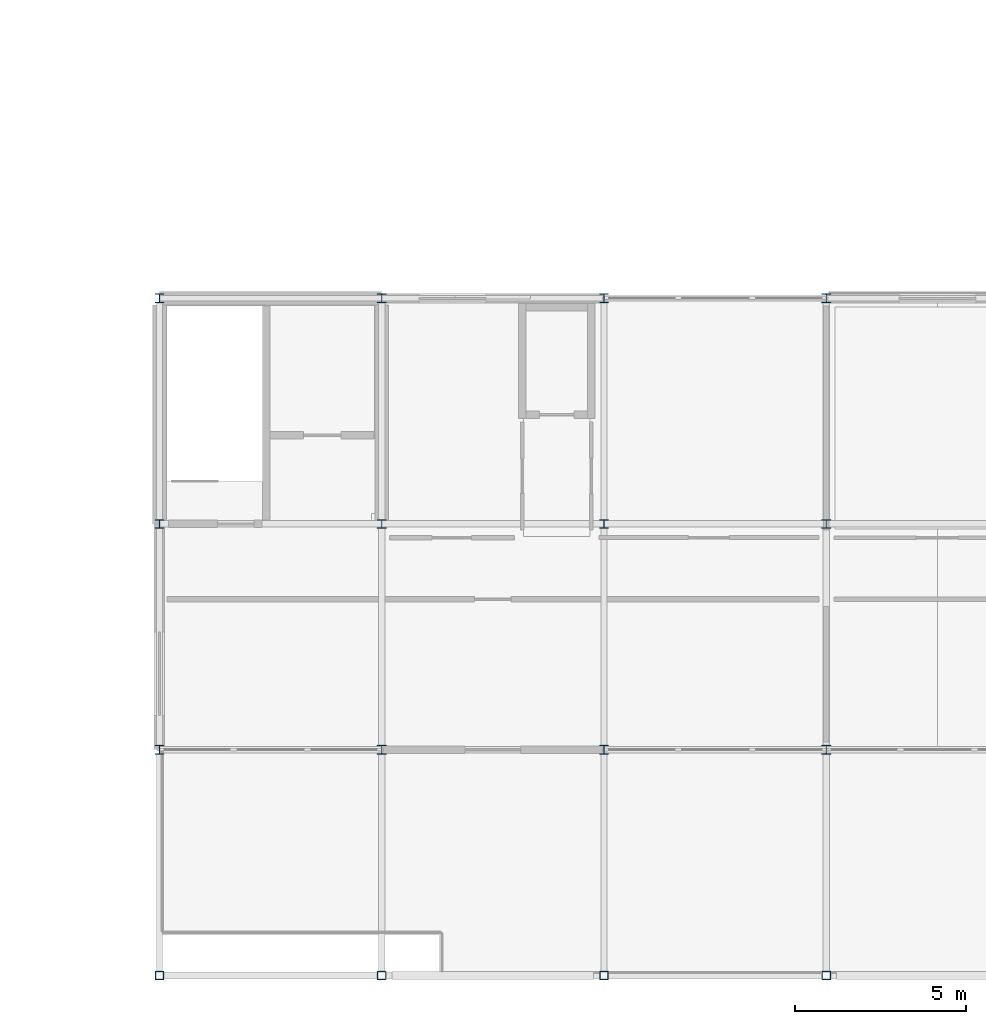
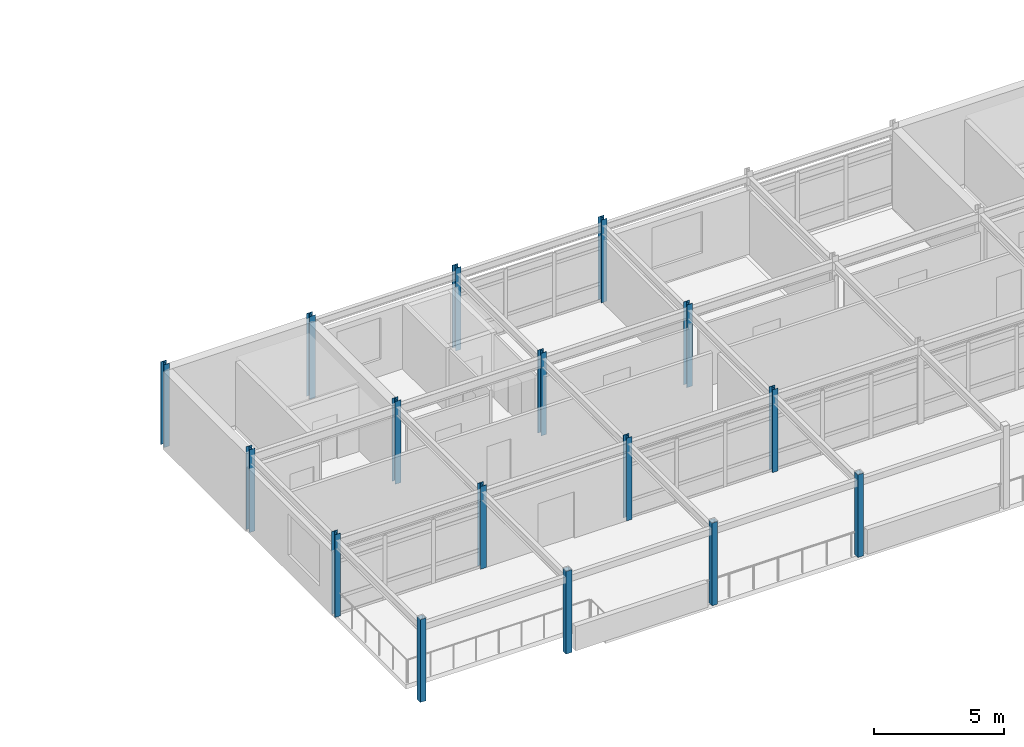
# One storey, part 1 of 20: 16 columns.
"""IFC4 building model written with IfcOpenShell, lengths in metres."""

from ifc_helpers import new_model, si_unit, direction, frame, origin, origin_2d, place, context, subcontext, project, spatial, hollow_rectangle, i_section, extrude, material, material_profile, profile_set, type_object, element, save


model = new_model("IFC4")

# Units and contexts
model_context = context("Model", 3, precision=1e-05, world=origin(), true_north=direction((0.0, 1.0)))
body_context = subcontext(model_context, "Body", "Model", "MODEL_VIEW")
ifc_project = project(units=[si_unit("LENGTHUNIT", "METRE"), si_unit("AREAUNIT", "SQUARE_METRE"), si_unit("VOLUMEUNIT", "CUBIC_METRE"), si_unit("PLANEANGLEUNIT", "RADIAN"), si_unit("MASSUNIT", "GRAM", prefix="KILO")], contexts=[model_context])

# Site, building, storey
site_placement = place(None, origin())
site = spatial("IfcSite", under=ifc_project, at=site_placement, CompositionType="ELEMENT")
building_placement = place(site_placement, origin())
building = spatial("IfcBuilding", under=site, at=building_placement, Name="Trelmorton Wharf Fire Station", CompositionType="ELEMENT")
storey_placement = place(building_placement, frame((0.0, 0.0, 21.300048828125)))
storey = spatial("IfcBuildingStorey", under=building, at=storey_placement, Name="L05", CompositionType="ELEMENT", Elevation=21.300048828125)

# Columns
ifc_material_1 = material(Name="Steel Grade 350", Category="steel")
ifc_material_profile_1 = material_profile(ifc_material_1, i_section(OverallWidth=0.25390625, OverallDepth=0.25390625, WebThickness=0.008544921875, FlangeThickness=0.01416015625, FilletRadius=0.0126953125, at=origin_2d()), Name="250UC72.9")
ifc_profile_set_1 = profile_set([ifc_material_profile_1], Name="Steel Grade 350")
column_type_1 = type_object("IfcColumnType", Name="COL_250UC73", PredefinedType="COLUMN", material=ifc_profile_set_1)
for number, where, z_axis, x_axis, name in (
    (1, (110.5, 14.39990234375, 0.0), (0.0, 0.0, 1.0), (1.0, 0.0, 0.0), "COL-L05-0763"),
    (2, (110.5, 21.0, 0.0), (0.0, 0.0, 1.0), (1.0, 0.0, 0.0), "COL-L05-0764"),
    (3, (110.5, 27.60009765625, 0.0), (0.0, 0.0, 1.0), (1.0, 0.0, 0.0), "COL-L05-0765"),
    (4, (117.0, 14.39990234375, 0.0), (0.0, 0.0, 1.0), (1.0, 0.0, 0.0), "COL-L05-0767"),
    (5, (117.0, 21.0, 0.0), (0.0, 0.0, 1.0), (1.0, 0.0, 0.0), "COL-L05-0768"),
    (6, (117.0, 27.60009765625, 0.0), (0.0, 0.0, 1.0), (1.0, 0.0, 0.0), "COL-L05-0769"),
    (7, (123.5, 14.39990234375, 0.0), (0.0, 0.0, 1.0), (1.0, 0.0, 0.0), "COL-L05-0771"),
    (8, (123.5, 21.0, 0.0), (0.0, 0.0, 1.0), (1.0, 0.0, 0.0), "COL-L05-0772"),
    (9, (123.5, 27.60009765625, 0.0), (0.0, 0.0, 1.0), (1.0, 0.0, 0.0), "COL-L05-0773"),
    (10, (130.0, 14.39990234375, 0.0), (0.0, 0.0, 1.0), (1.0, 0.0, 0.0), "COL-L05-0775"),
    (11, (130.0, 21.0, 0.0), (0.0, 0.0, 1.0), (1.0, 0.0, 0.0), "COL-L05-0776"),
    (12, (130.0, 27.60009765625, 0.0), (0.0, 0.0, 1.0), (1.0, 0.0, 0.0), "COL-L05-0777"),
):
    element("IfcColumn", number, at=place(storey_placement, frame(where, z_axis=z_axis, x_axis=x_axis)), inside=storey, type_object=column_type_1, Name=name, PredefinedType="COLUMN", context=body_context, shape_type="SweptSolid", body=[
        extrude(i_section(OverallWidth=0.25390625, OverallDepth=0.25390625, WebThickness=0.008544921875, FlangeThickness=0.01416015625, FilletRadius=0.0126953125, at=origin_2d()), origin(), (0.0, 0.0, 1.0), 3.89990234375),
    ])
ifc_material_2 = material(Name="Signal-red architectural steel Grade 350", Category="steel")
ifc_material_profile_2 = material_profile(ifc_material_2, hollow_rectangle(XDim=0.25, YDim=0.25, WallThickness=0.012451171875, at=origin_2d()), Name="250x250x12.5SHS")
ifc_profile_set_2 = profile_set([ifc_material_profile_2], Name="Signal-red architectural steel Grade 350")
column_type_2 = type_object("IfcColumnType", Name="COL_RED_250SHS", PredefinedType="COLUMN", material=ifc_profile_set_2)
for number, where, z_axis, x_axis, name in (
    (13, (110.5, 7.800048828125, 0.0), (0.0, 0.0, 1.0), (1.0, 0.0, 0.0), "COL-L05-0762"),
    (14, (117.0, 7.800048828125, 0.0), (0.0, 0.0, 1.0), (1.0, 0.0, 0.0), "COL-L05-0766"),
    (15, (123.5, 7.800048828125, 0.0), (0.0, 0.0, 1.0), (1.0, 0.0, 0.0), "COL-L05-0770"),
    (16, (130.0, 7.800048828125, 0.0), (0.0, 0.0, 1.0), (1.0, 0.0, 0.0), "COL-L05-0774"),
):
    element("IfcColumn", number, at=place(storey_placement, frame(where, z_axis=z_axis, x_axis=x_axis)), inside=storey, type_object=column_type_2, Name=name, PredefinedType="COLUMN", context=body_context, shape_type="SweptSolid", body=[
        extrude(hollow_rectangle(XDim=0.25, YDim=0.25, WallThickness=0.012451171875, at=origin_2d()), origin(), (0.0, 0.0, 1.0), 3.89990234375),
    ])

save(model, "model.ifc")
